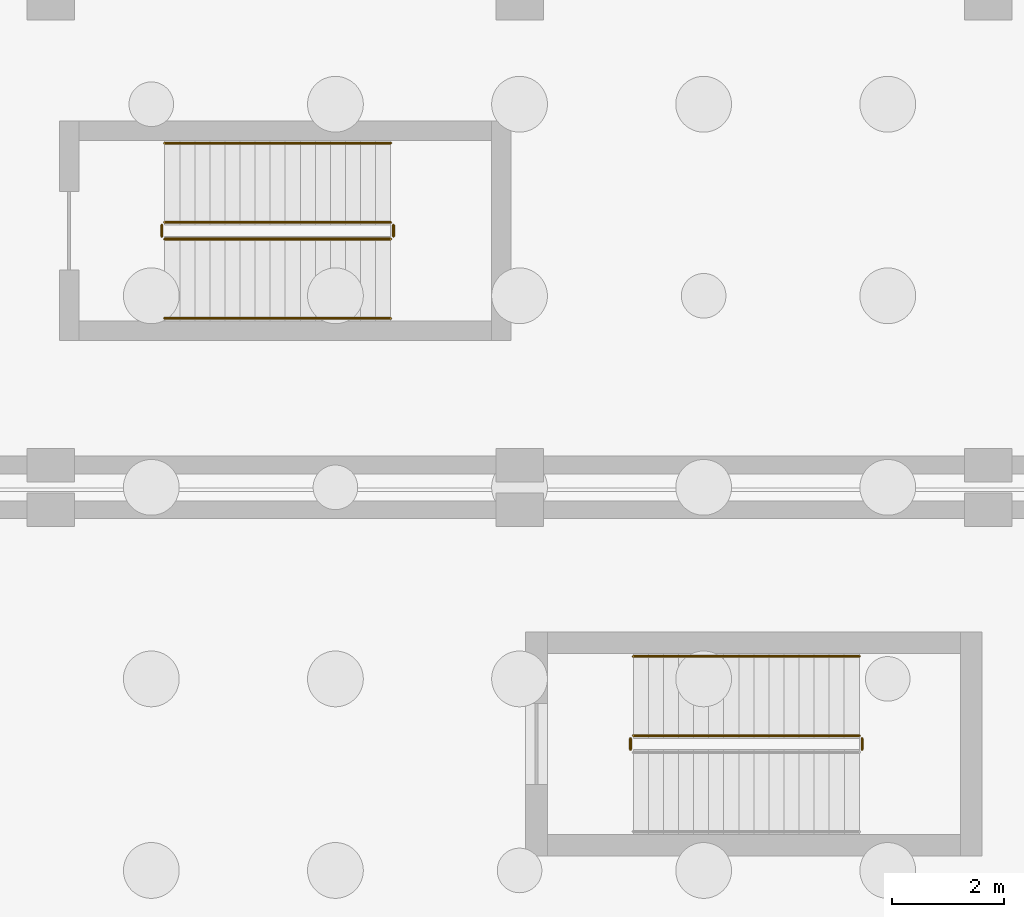
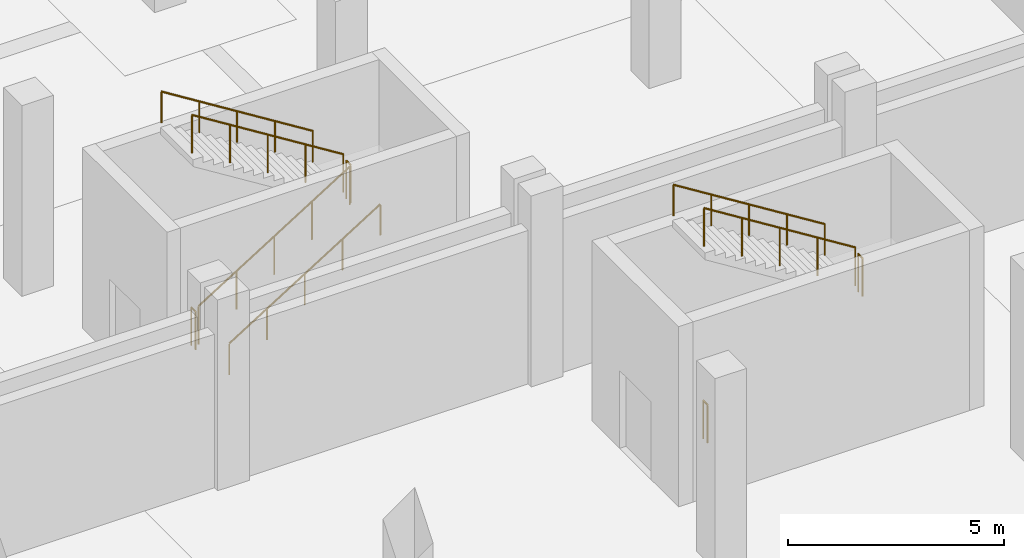
# One storey, part 85 of 98: 10 railings.
"""IFC4 building model written with IfcOpenShell, lengths in metres."""

from ifc_helpers import new_model, si_unit, direction, frame, origin, origin_2d, place, context, subcontext, project, spatial, circle, extrude, material, type_object, element, save


model = new_model("IFC4")

# Units and contexts
model_context = context("Model", 3, precision=1e-05, world=origin(), true_north=direction((0.0, 1.0)))
body_context = subcontext(model_context, "Body", "Model", "MODEL_VIEW")
ifc_project = project(units=[si_unit("LENGTHUNIT", "METRE"), si_unit("AREAUNIT", "SQUARE_METRE"), si_unit("VOLUMEUNIT", "CUBIC_METRE"), si_unit("PLANEANGLEUNIT", "RADIAN"), si_unit("MASSUNIT", "GRAM", prefix="KILO")], contexts=[model_context])

# Site, building, storey
site_placement = place(None, origin())
site = spatial("IfcSite", under=ifc_project, at=site_placement, CompositionType="ELEMENT")
building_placement = place(site_placement, origin())
building = spatial("IfcBuilding", under=site, at=building_placement, Name="Xazarin Passage Department Store", CompositionType="ELEMENT")
storey_placement = place(building_placement, origin())
storey = spatial("IfcBuildingStorey", under=building, at=storey_placement, Name="L00", CompositionType="ELEMENT", Elevation=0.0)

# Railings
ifc_material = material(Name="Steel S355", Category="steel")
railing_type_1 = type_object("IfcRailingType", Name="ARC-RL-GRD112", PredefinedType="GUARDRAIL", material=ifc_material)
railing_1_placement = place(storey_placement, frame((90.93994140625, 46.10009765625, 2.699951171875)))
element("IfcRailing", 1, at=railing_1_placement, inside=storey, type_object=railing_type_1, Name="L00 ST5 stair guard 2", PredefinedType="GUARDRAIL", context=body_context, shape_type="SweptSolid", body=[
    extrude(circle(Radius=0.02392578125, at=origin_2d()), frame((0.0, 0.0, 1.076171875), z_axis=(0.0, 1.0, 0.0), x_axis=(-1.0, 0.0, 0.0)), (0.0, 0.0, 1.0), 0.199951171875),
    extrude(circle(Radius=0.02099609375, at=origin_2d()), origin(), (0.0, 0.0, 1.0), 1.0517578125),
    extrude(circle(Radius=0.02099609375, at=origin_2d()), frame((0.0, 0.199951171875, 0.0)), (0.0, 0.0, 1.0), 1.0517578125),
])
railing_2_placement = place(storey_placement, frame((90.889892578125, 46.35009765625, 2.86865234375)))
element("IfcRailing", 2, at=railing_2_placement, inside=storey, type_object=railing_type_1, Name="L00 ST5 stair guard 3", PredefinedType="GUARDRAIL", context=body_context, shape_type="SweptSolid", body=[
    extrude(circle(Radius=0.02392578125, at=origin_2d()), frame((0.0, 0.0, 1.076171875), z_axis=(-0.847986816054, 0.0, 0.530017320282), x_axis=(0.0, -1.0, 0.0)), (0.0, 0.0, 1.0), 4.77587890625),
    extrude(circle(Radius=0.02099609375, at=origin_2d()), origin(), (0.0, 0.0, 1.0), 1.0517578125),
    extrude(circle(Radius=0.02099609375, at=origin_2d()), frame((-1.012451171875, 0.0, 0.6328125)), (0.0, 0.0, 1.0), 1.0517578125),
    extrude(circle(Radius=0.02099609375, at=origin_2d()), frame((-2.02490234375, 0.0, 1.265625)), (0.0, 0.0, 1.0), 1.0517578125),
    extrude(circle(Radius=0.02099609375, at=origin_2d()), frame((-3.037353515625, 0.0, 1.8984375)), (0.0, 0.0, 1.0), 1.0517578125),
    extrude(circle(Radius=0.02099609375, at=origin_2d()), frame((-4.0498046875, 0.0, 2.53125)), (0.0, 0.0, 1.0), 1.0517578125),
])
railing_3_placement = place(storey_placement, frame((86.7900390625, 46.10009765625, 0.0)))
element("IfcRailing", 3, at=railing_3_placement, inside=storey, type_object=railing_type_1, Name="L00 ST5 stair guard 4", PredefinedType="GUARDRAIL", context=body_context, shape_type="SweptSolid", body=[
    extrude(circle(Radius=0.02392578125, at=origin_2d()), frame((0.0, 0.0, 1.076171875), z_axis=(0.0, 1.0, 0.0), x_axis=(-1.0, 0.0, 0.0)), (0.0, 0.0, 1.0), 0.199951171875),
    extrude(circle(Radius=0.02099609375, at=origin_2d()), origin(), (0.0, 0.0, 1.0), 1.0517578125),
    extrude(circle(Radius=0.02099609375, at=origin_2d()), frame((0.0, 0.199951171875, 0.0)), (0.0, 0.0, 1.0), 1.0517578125),
])
railing_4_placement = place(storey_placement, frame((78.43994140625, 55.25, 0.168701171875)))
element("IfcRailing", 4, at=railing_4_placement, inside=storey, type_object=railing_type_1, Name="L00 ST6 stair guard 1", PredefinedType="GUARDRAIL", context=body_context, shape_type="SweptSolid", body=[
    extrude(circle(Radius=0.02392578125, at=origin_2d()), frame((0.0, 0.0, 1.076171875), z_axis=(0.848001175806, 0.0, 0.529994345094), x_axis=(0.0, 1.0, 0.0)), (0.0, 0.0, 1.0), 4.77587890625),
    extrude(circle(Radius=0.02099609375, at=origin_2d()), origin(), (0.0, 0.0, 1.0), 1.0517578125),
    extrude(circle(Radius=0.02099609375, at=origin_2d()), frame((1.012451171875, 0.0, 0.6328125)), (0.0, 0.0, 1.0), 1.0517578125),
    extrude(circle(Radius=0.02099609375, at=origin_2d()), frame((2.02490234375, 0.0, 1.265625)), (0.0, 0.0, 1.0), 1.0517578125),
    extrude(circle(Radius=0.02099609375, at=origin_2d()), frame((3.03759765625, 0.0, 1.8984375)), (0.0, 0.0, 1.0), 1.0517578125),
    extrude(circle(Radius=0.02099609375, at=origin_2d()), frame((4.050048828125, 0.0, 2.53125)), (0.0, 0.0, 1.0), 1.0517578125),
])
railing_5_placement = place(storey_placement, frame((82.5400390625, 55.300048828125, 2.699951171875)))
element("IfcRailing", 5, at=railing_5_placement, inside=storey, type_object=railing_type_1, Name="L00 ST6 stair guard 2", PredefinedType="GUARDRAIL", context=body_context, shape_type="SweptSolid", body=[
    extrude(circle(Radius=0.02392578125, at=origin_2d()), frame((0.0, 0.0, 1.076171875), z_axis=(0.0, 1.0, 0.0), x_axis=(-1.0, 0.0, 0.0)), (0.0, 0.0, 1.0), 0.199951171875),
    extrude(circle(Radius=0.02099609375, at=origin_2d()), origin(), (0.0, 0.0, 1.0), 1.0517578125),
    extrude(circle(Radius=0.02099609375, at=origin_2d()), frame((0.0, 0.199951171875, 0.0)), (0.0, 0.0, 1.0), 1.0517578125),
])
railing_6_placement = place(storey_placement, frame((82.489990234375, 55.550048828125, 2.86865234375)))
element("IfcRailing", 6, at=railing_6_placement, inside=storey, type_object=railing_type_1, Name="L00 ST6 stair guard 3", PredefinedType="GUARDRAIL", context=body_context, shape_type="SweptSolid", body=[
    extrude(circle(Radius=0.02392578125, at=origin_2d()), frame((0.0, 0.0, 1.076171875), z_axis=(-0.848001175806, 0.0, 0.529994345094), x_axis=(0.0, -1.0, 0.0)), (0.0, 0.0, 1.0), 4.77587890625),
    extrude(circle(Radius=0.02099609375, at=origin_2d()), origin(), (0.0, 0.0, 1.0), 1.0517578125),
    extrude(circle(Radius=0.02099609375, at=origin_2d()), frame((-1.012451171875, 0.0, 0.6328125)), (0.0, 0.0, 1.0), 1.0517578125),
    extrude(circle(Radius=0.02099609375, at=origin_2d()), frame((-2.02490234375, 0.0, 1.265625)), (0.0, 0.0, 1.0), 1.0517578125),
    extrude(circle(Radius=0.02099609375, at=origin_2d()), frame((-3.03759765625, 0.0, 1.8984375)), (0.0, 0.0, 1.0), 1.0517578125),
    extrude(circle(Radius=0.02099609375, at=origin_2d()), frame((-4.050048828125, 0.0, 2.53125)), (0.0, 0.0, 1.0), 1.0517578125),
])
railing_7_placement = place(storey_placement, frame((78.389892578125, 55.300048828125, 0.0)))
element("IfcRailing", 7, at=railing_7_placement, inside=storey, type_object=railing_type_1, Name="L00 ST6 stair guard 4", PredefinedType="GUARDRAIL", context=body_context, shape_type="SweptSolid", body=[
    extrude(circle(Radius=0.02392578125, at=origin_2d()), frame((0.0, 0.0, 1.076171875), z_axis=(0.0, 1.0, 0.0), x_axis=(-1.0, 0.0, 0.0)), (0.0, 0.0, 1.0), 0.199951171875),
    extrude(circle(Radius=0.02099609375, at=origin_2d()), origin(), (0.0, 0.0, 1.0), 1.0517578125),
    extrude(circle(Radius=0.02099609375, at=origin_2d()), frame((0.0, 0.199951171875, 0.0)), (0.0, 0.0, 1.0), 1.0517578125),
])
railing_type_2 = type_object("IfcRailingType", Name="ARC-RL-HND090", PredefinedType="HANDRAIL", material=ifc_material)
railing_8_placement = place(storey_placement, frame((90.889892578125, 47.77001953125, 2.86865234375)))
element("IfcRailing", 8, at=railing_8_placement, inside=storey, type_object=railing_type_2, Name="L00 ST5 stair handrail 2", PredefinedType="HANDRAIL", context=body_context, shape_type="SweptSolid", body=[
    extrude(circle(Radius=0.02392578125, at=origin_2d()), frame((0.0, 0.0, 0.8759765625), z_axis=(-0.847986816054, 0.0, 0.530017320282), x_axis=(0.0, -1.0, 0.0)), (0.0, 0.0, 1.0), 4.77587890625),
    extrude(circle(Radius=0.02099609375, at=origin_2d()), origin(), (0.0, 0.0, 1.0), 0.8515625),
    extrude(circle(Radius=0.02099609375, at=origin_2d()), frame((-1.012451171875, 0.0, 0.6328125)), (0.0, 0.0, 1.0), 0.8515625),
    extrude(circle(Radius=0.02099609375, at=origin_2d()), frame((-2.02490234375, 0.0, 1.265625)), (0.0, 0.0, 1.0), 0.8515625),
    extrude(circle(Radius=0.02099609375, at=origin_2d()), frame((-3.037353515625, 0.0, 1.8984375)), (0.0, 0.0, 1.0), 0.8515625),
    extrude(circle(Radius=0.02099609375, at=origin_2d()), frame((-4.0498046875, 0.0, 2.53125)), (0.0, 0.0, 1.0), 0.8515625),
])
railing_9_placement = place(storey_placement, frame((78.43994140625, 53.830078125, 0.168701171875)))
element("IfcRailing", 9, at=railing_9_placement, inside=storey, type_object=railing_type_2, Name="L00 ST6 stair handrail 1", PredefinedType="HANDRAIL", context=body_context, shape_type="SweptSolid", body=[
    extrude(circle(Radius=0.02392578125, at=origin_2d()), frame((0.0, 0.0, 0.8759765625), z_axis=(0.848001175806, 0.0, 0.529994345094), x_axis=(0.0, 1.0, 0.0)), (0.0, 0.0, 1.0), 4.77587890625),
    extrude(circle(Radius=0.02099609375, at=origin_2d()), origin(), (0.0, 0.0, 1.0), 0.8515625),
    extrude(circle(Radius=0.02099609375, at=origin_2d()), frame((1.012451171875, 0.0, 0.6328125)), (0.0, 0.0, 1.0), 0.8515625),
    extrude(circle(Radius=0.02099609375, at=origin_2d()), frame((2.02490234375, 0.0, 1.265625)), (0.0, 0.0, 1.0), 0.8515625),
    extrude(circle(Radius=0.02099609375, at=origin_2d()), frame((3.03759765625, 0.0, 1.8984375)), (0.0, 0.0, 1.0), 0.8515625),
    extrude(circle(Radius=0.02099609375, at=origin_2d()), frame((4.050048828125, 0.0, 2.53125)), (0.0, 0.0, 1.0), 0.8515625),
])
railing_10_placement = place(storey_placement, frame((82.489990234375, 56.969970703125, 2.86865234375)))
element("IfcRailing", 10, at=railing_10_placement, inside=storey, type_object=railing_type_2, Name="L00 ST6 stair handrail 2", PredefinedType="HANDRAIL", context=body_context, shape_type="SweptSolid", body=[
    extrude(circle(Radius=0.02392578125, at=origin_2d()), frame((0.0, 0.0, 0.8759765625), z_axis=(-0.848001175806, 0.0, 0.529994345094), x_axis=(0.0, -1.0, 0.0)), (0.0, 0.0, 1.0), 4.77587890625),
    extrude(circle(Radius=0.02099609375, at=origin_2d()), origin(), (0.0, 0.0, 1.0), 0.8515625),
    extrude(circle(Radius=0.02099609375, at=origin_2d()), frame((-1.012451171875, 0.0, 0.6328125)), (0.0, 0.0, 1.0), 0.8515625),
    extrude(circle(Radius=0.02099609375, at=origin_2d()), frame((-2.02490234375, 0.0, 1.265625)), (0.0, 0.0, 1.0), 0.8515625),
    extrude(circle(Radius=0.02099609375, at=origin_2d()), frame((-3.03759765625, 0.0, 1.8984375)), (0.0, 0.0, 1.0), 0.8515625),
    extrude(circle(Radius=0.02099609375, at=origin_2d()), frame((-4.050048828125, 0.0, 2.53125)), (0.0, 0.0, 1.0), 0.8515625),
])

save(model, "model.ifc")
